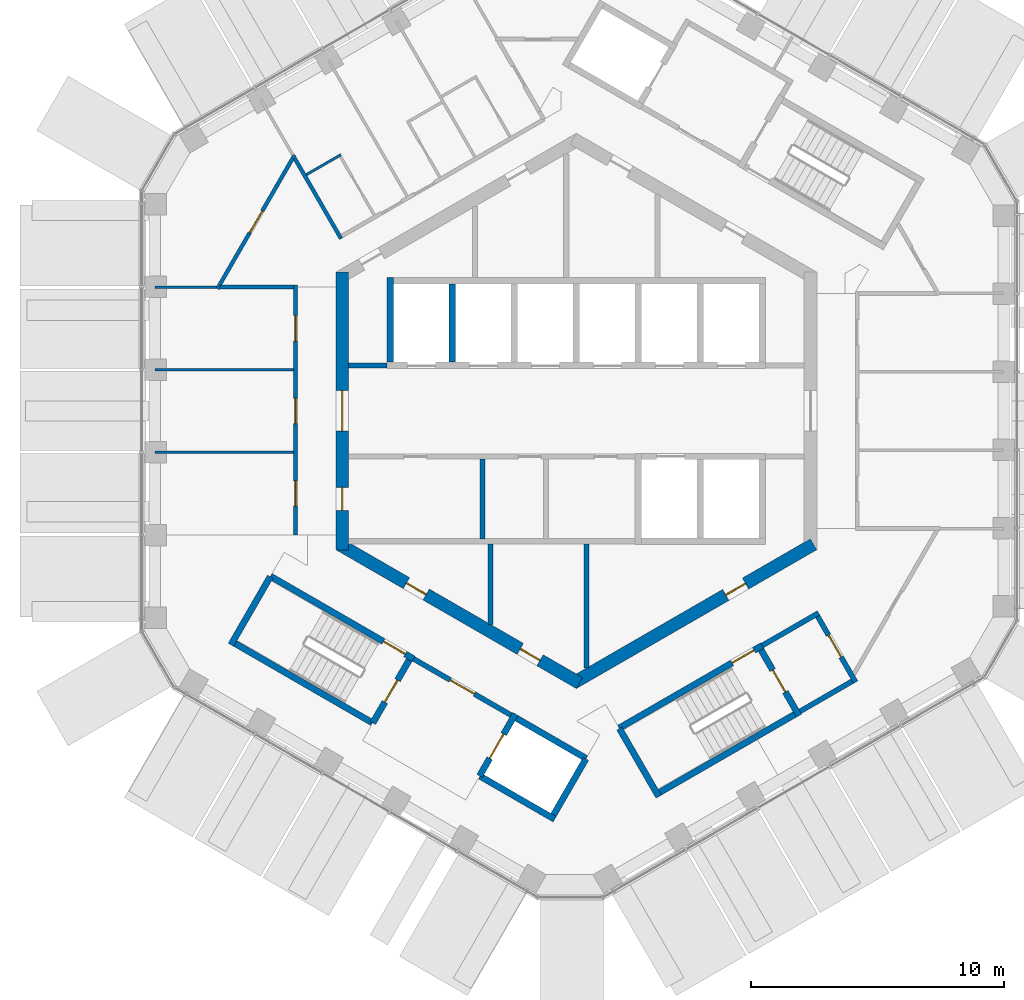
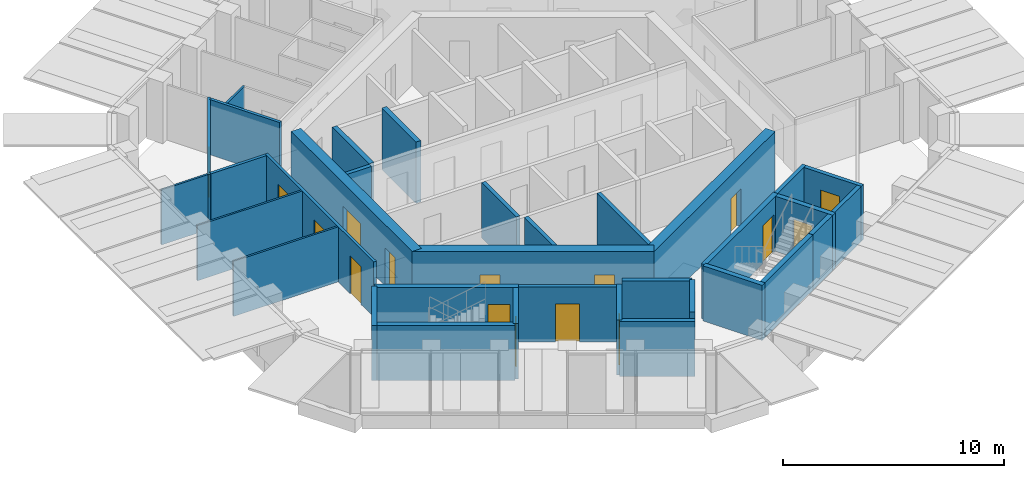
# One storey, part 12 of 17: 34 walls, 16 doors, 16 openings.
"""IFC4 building model written with IfcOpenShell, lengths in metres."""

from ifc_helpers import new_model, si_unit, direction, frame, frame_2d, origin, place, context, subcontext, project, spatial, rectangle, extrude, material, layer, layer_set, type_object, element, fill, save


model = new_model("IFC4")

# Units and contexts
model_context = context("Model", 3, precision=1e-05, world=origin(), true_north=direction((0.0, 1.0)))
body_context = subcontext(model_context, "Body", "Model", "MODEL_VIEW")
ifc_project = project(units=[si_unit("LENGTHUNIT", "METRE"), si_unit("AREAUNIT", "SQUARE_METRE"), si_unit("VOLUMEUNIT", "CUBIC_METRE"), si_unit("PLANEANGLEUNIT", "RADIAN"), si_unit("MASSUNIT", "GRAM", prefix="KILO")], contexts=[model_context])

# Site, building, storey
site_placement = place(None, origin())
site = spatial("IfcSite", under=ifc_project, at=site_placement, CompositionType="ELEMENT")
building_placement = place(site_placement, origin())
building = spatial("IfcBuilding", under=site, at=building_placement, Name="Ayvan Gate Tower", CompositionType="ELEMENT")
storey_placement = place(building_placement, frame((0.0, 0.0, 232.5)))
storey = spatial("IfcBuildingStorey", under=building, at=storey_placement, Name="L62", CompositionType="ELEMENT", Elevation=232.5)

# Wall, openings, doors
ifc_material_1 = material(Name="Concrete C60/75", Category="concrete")
ifc_layer_1 = layer(ifc_material_1, 0.5)
ifc_layer_set_1 = layer_set([ifc_layer_1], Name="Concrete C60/75")
wall_type_1 = type_object("IfcWallType", Name="Core wall 500 C60/75", PredefinedType="SHEAR", material=ifc_layer_set_1)
wall_1_placement = place(storey_placement, frame((-9.25, 5.48486328125, 0.0), z_axis=(0.0, 0.0, 1.0), x_axis=(0.0, -1.0, 0.0)))
wall_1 = element("IfcWall", 1, at=wall_1_placement, inside=storey, type_object=wall_type_1, Name="CORE-L62-3", PredefinedType="SHEAR", context=body_context, shape_type="SweptSolid", body=[
    extrude(rectangle(XDim=10.9697265625, YDim=0.5, at=frame_2d((5.48486328125, 0.0))), origin(), (0.0, 0.0, 1.0), 3.39990234375),
])
opening_1_placement = place(wall_1_placement, frame((8.509765625, 0.0, 0.0)))
opening_1 = element("IfcOpeningElement", 2, at=opening_1_placement, cuts=wall_1, Name="Opening L62-D45", PredefinedType="OPENING", context=body_context, shape_type="SweptSolid", body=[
    extrude(rectangle(XDim=0.89990234375, YDim=2.10009765625, at=frame_2d((0.449951171875, 1.050048828125))), frame((0.0, 0.260009765625, 0.0), z_axis=(0.0, -1.0, 0.0), x_axis=(1.0, 0.0, 0.0)), (0.0, 0.0, 1.0), 0.52001953125),
])
opening_2_placement = place(wall_1_placement, frame((4.684814453125, 0.0, 0.0)))
opening_2 = element("IfcOpeningElement", 3, at=opening_2_placement, cuts=wall_1, Name="Opening L62-D47", PredefinedType="OPENING", context=body_context, shape_type="SweptSolid", body=[
    extrude(rectangle(XDim=1.60009765625, YDim=2.10009765625, at=frame_2d((0.800048828125, 1.050048828125))), frame((0.0, 0.260009765625, 0.0), z_axis=(0.0, -1.0, 0.0), x_axis=(1.0, 0.0, 0.0)), (0.0, 0.0, 1.0), 0.52001953125),
])
ifc_material_2 = material(Name="Timber door leaf", Category="wood")
door_type_1 = type_object("IfcDoorType", Name="DT-1600", OperationType="NOTDEFINED", PredefinedType="DOOR", material=ifc_material_2)
door_1_placement = place(opening_2_placement, origin())
door_1 = element("IfcDoor", 4, at=door_1_placement, inside=storey, type_object=door_type_1, Name="CD-L62-47", OperationType="SINGLE_SWING_LEFT", OverallHeight=2.10009765625, OverallWidth=1.60009765625, PredefinedType="DOOR", context=body_context, shape_type="SweptSolid", body=[
    extrude(rectangle(XDim=1.60009765625, YDim=2.10009765625, at=frame_2d((0.800048828125, 1.050048828125))), frame((0.0, 0.02490234375, 0.0), z_axis=(0.0, -1.0, 0.0), x_axis=(1.0, 0.0, 0.0)), (0.0, 0.0, 1.0), 0.050048828125),
])
fill(opening_2, door_1)
door_type_2 = type_object("IfcDoorType", Name="DT-900", OperationType="NOTDEFINED", PredefinedType="DOOR", material=ifc_material_2)
door_2_placement = place(opening_1_placement, origin())
door_2 = element("IfcDoor", 5, at=door_2_placement, inside=storey, type_object=door_type_2, Name="CD-L62-45", OperationType="SINGLE_SWING_LEFT", OverallHeight=2.10009765625, OverallWidth=0.89990234375, PredefinedType="DOOR", context=body_context, shape_type="SweptSolid", body=[
    extrude(rectangle(XDim=0.89990234375, YDim=2.10009765625, at=frame_2d((0.449951171875, 1.050048828125))), frame((0.0, 0.02490234375, 0.0), z_axis=(0.0, -1.0, 0.0), x_axis=(1.0, 0.0, 0.0)), (0.0, 0.0, 1.0), 0.050048828125),
])
fill(opening_1, door_2)

wall_2_placement = place(storey_placement, frame((-9.375, -5.268310546875, 0.0), z_axis=(0.0, 0.0, 1.0), x_axis=(0.866023993627, -0.500002442456, 0.0)))
wall_2 = element("IfcWall", 6, at=wall_2_placement, inside=storey, type_object=wall_type_1, Name="CORE-L62-4", PredefinedType="SHEAR", context=body_context, shape_type="SweptSolid", body=[
    extrude(rectangle(XDim=10.9697265625, YDim=0.5, at=frame_2d((5.48486328125, 0.0))), origin(), (0.0, 0.0, 1.0), 3.39990234375),
])
opening_3_placement = place(wall_2_placement, frame((3.072509765625, 0.0, 0.0)))
opening_3 = element("IfcOpeningElement", 7, at=opening_3_placement, cuts=wall_2, Name="Opening L62-D42", PredefinedType="OPENING", context=body_context, shape_type="SweptSolid", body=[
    extrude(rectangle(XDim=0.89990234375, YDim=2.10009765625, at=frame_2d((0.449951171875, 1.050048828125))), frame((0.0, 0.260009765625, 0.0), z_axis=(0.0, -1.0, 0.0), x_axis=(1.0, 0.0, 0.0)), (0.0, 0.0, 1.0), 0.52001953125),
])
opening_4_placement = place(wall_2_placement, frame((8.267333984375, 0.0, 0.0)))
opening_4 = element("IfcOpeningElement", 8, at=opening_4_placement, cuts=wall_2, Name="Opening L62-D43", PredefinedType="OPENING", context=body_context, shape_type="SweptSolid", body=[
    extrude(rectangle(XDim=0.89990234375, YDim=2.10009765625, at=frame_2d((0.449951171875, 1.050048828125))), frame((0.0, 0.260009765625, 0.0), z_axis=(0.0, -1.0, 0.0), x_axis=(1.0, 0.0, 0.0)), (0.0, 0.0, 1.0), 0.52001953125),
])
door_3_placement = place(opening_3_placement, origin())
door_3 = element("IfcDoor", 9, at=door_3_placement, inside=storey, type_object=door_type_2, Name="CD-L62-42", OperationType="SINGLE_SWING_RIGHT", OverallHeight=2.10009765625, OverallWidth=0.89990234375, PredefinedType="DOOR", context=body_context, shape_type="SweptSolid", body=[
    extrude(rectangle(XDim=0.89990234375, YDim=2.10009765625, at=frame_2d((0.449951171875, 1.050048828125))), frame((0.0, 0.02490234375, 0.0), z_axis=(0.0, -1.0, 0.0), x_axis=(1.0, 0.0, 0.0)), (0.0, 0.0, 1.0), 0.050048828125),
])
fill(opening_3, door_3)
door_4_placement = place(opening_4_placement, origin())
door_4 = element("IfcDoor", 10, at=door_4_placement, inside=storey, type_object=door_type_2, Name="CD-L62-43", OperationType="SINGLE_SWING_LEFT", OverallHeight=2.10009765625, OverallWidth=0.89990234375, PredefinedType="DOOR", context=body_context, shape_type="SweptSolid", body=[
    extrude(rectangle(XDim=0.89990234375, YDim=2.10009765625, at=frame_2d((0.449951171875, 1.050048828125))), frame((0.0, 0.02490234375, 0.0), z_axis=(0.0, -1.0, 0.0), x_axis=(1.0, 0.0, 0.0)), (0.0, 0.0, 1.0), 0.050048828125),
])
fill(opening_4, door_4)

# Wall, opening, door
wall_3_placement = place(storey_placement, frame((-0.125, -10.753173828125, 0.0), z_axis=(0.0, 0.0, 1.0), x_axis=(0.866023993627, 0.500002442456, 0.0)))
wall_3 = element("IfcWall", 11, at=wall_3_placement, inside=storey, type_object=wall_type_1, Name="CORE-L62-5", PredefinedType="SHEAR", context=body_context, shape_type="SweptSolid", body=[
    extrude(rectangle(XDim=10.9697265625, YDim=0.5, at=frame_2d((5.48486328125, 0.0))), origin(), (0.0, 0.0, 1.0), 3.39990234375),
])
opening_5_placement = place(wall_3_placement, frame((6.96435546875, 0.0, 0.0)))
opening_5 = element("IfcOpeningElement", 12, at=opening_5_placement, cuts=wall_3, Name="Opening L62-D44", PredefinedType="OPENING", context=body_context, shape_type="SweptSolid", body=[
    extrude(rectangle(XDim=0.89990234375, YDim=2.10009765625, at=frame_2d((0.449951171875, 1.050048828125))), frame((0.0, 0.260009765625, 0.0), z_axis=(0.0, -1.0, 0.0), x_axis=(1.0, 0.0, 0.0)), (0.0, 0.0, 1.0), 0.52001953125),
])
door_5_placement = place(opening_5_placement, origin())
door_5 = element("IfcDoor", 13, at=door_5_placement, inside=storey, type_object=door_type_2, Name="CD-L62-44", OperationType="SINGLE_SWING_RIGHT", OverallHeight=2.10009765625, OverallWidth=0.89990234375, PredefinedType="DOOR", context=body_context, shape_type="SweptSolid", body=[
    extrude(rectangle(XDim=0.89990234375, YDim=2.10009765625, at=frame_2d((0.449951171875, 1.050048828125))), frame((0.0, 0.02490234375, 0.0), z_axis=(0.0, -1.0, 0.0), x_axis=(1.0, 0.0, 0.0)), (0.0, 0.0, 1.0), 0.050048828125),
])
fill(opening_5, door_5)

ifc_material_3 = material(Name="Plasterboard on steel stud", Category="steel")
ifc_layer_2 = layer(ifc_material_3, 0.14990234375)
ifc_layer_set_2 = layer_set([ifc_layer_2], Name="Plasterboard on steel stud")
wall_type_2 = type_object("IfcWallType", Name="WT-CORR-150", PredefinedType="PARTITIONING", material=ifc_layer_set_2)
wall_4_placement = place(storey_placement, frame((-14.185302734375, 4.828125, 0.0), z_axis=(0.0, 0.0, 1.0), x_axis=(0.50002117804, 0.866013176292, 0.0)))
wall_4 = element("IfcWall", 14, at=wall_4_placement, inside=storey, type_object=wall_type_2, Name="IW-L62-001", PredefinedType="PARTITIONING", context=body_context, shape_type="SweptSolid", body=[
    extrude(rectangle(XDim=6.107666015625, YDim=0.14990234375, at=frame_2d((3.0537109375, 0.0))), origin(), (0.0, 0.0, 1.0), 3.050048828125),
])
opening_6_placement = place(wall_4_placement, frame((2.553955078125, 0.0, 0.0)))
opening_6 = element("IfcOpeningElement", 15, at=opening_6_placement, cuts=wall_4, Name="Opening L62-D27", PredefinedType="OPENING", context=body_context, shape_type="SweptSolid", body=[
    extrude(rectangle(XDim=1.0, YDim=2.10009765625, at=frame_2d((0.5, 1.050048828125))), frame((0.0, 0.0849609375, 0.0), z_axis=(0.0, -1.0, 0.0), x_axis=(1.0, 0.0, 0.0)), (0.0, 0.0, 1.0), 0.169921875),
])
door_type_3 = type_object("IfcDoorType", Name="DT-1000", OperationType="NOTDEFINED", PredefinedType="DOOR", material=ifc_material_2)
door_6_placement = place(opening_6_placement, origin())
door_6 = element("IfcDoor", 16, at=door_6_placement, inside=storey, type_object=door_type_3, Name="ID-L62-027", OperationType="SINGLE_SWING_LEFT", OverallHeight=2.10009765625, OverallWidth=1.0, PredefinedType="DOOR", context=body_context, shape_type="SweptSolid", body=[
    extrude(rectangle(XDim=1.0, YDim=2.10009765625, at=frame_2d((0.5, 1.050048828125))), frame((0.0, 0.02490234375, 0.0), z_axis=(0.0, -1.0, 0.0), x_axis=(1.0, 0.0, 0.0)), (0.0, 0.0, 1.0), 0.050048828125),
])
fill(opening_6, door_6)

# Wall
wall_5_placement = place(storey_placement, frame((-11.13134765625, 9.987548828125, 0.0), z_axis=(0.0, 0.0, 1.0), x_axis=(0.499973899091, -0.866040472627, 0.0)))
element("IfcWall", 17, at=wall_5_placement, inside=storey, type_object=wall_type_2, Name="IW-L62-005", PredefinedType="PARTITIONING", context=body_context, shape_type="SweptSolid", body=[
    extrude(rectangle(XDim=3.670166015625, YDim=0.14990234375, at=frame_2d((1.8349609375, 0.0))), origin(), (0.0, 0.0, 1.0), 3.050048828125),
])

# Wall, openings, doors
wall_6_placement = place(storey_placement, frame((-11.10009765625, -4.89306640625, 0.0), z_axis=(0.0, 0.0, 1.0), x_axis=(0.0, 1.0, 0.0)))
wall_6 = element("IfcWall", 18, at=wall_6_placement, inside=storey, type_object=wall_type_2, Name="IW-L62-006", PredefinedType="PARTITIONING", context=body_context, shape_type="SweptSolid", body=[
    extrude(rectangle(XDim=9.861083984375, YDim=0.14990234375, at=frame_2d((4.9306640625, 0.0))), origin(), (0.0, 0.0, 1.0), 3.050048828125),
])
opening_7_placement = place(wall_6_placement, frame((7.655029296875, 0.0, 0.0)))
opening_7 = element("IfcOpeningElement", 19, at=opening_7_placement, cuts=wall_6, Name="Opening L62-D28", PredefinedType="OPENING", context=body_context, shape_type="SweptSolid", body=[
    extrude(rectangle(XDim=1.0, YDim=2.10009765625, at=frame_2d((0.5, 1.050048828125))), frame((0.0, 0.0849609375, 0.0), z_axis=(0.0, -1.0, 0.0), x_axis=(1.0, 0.0, 0.0)), (0.0, 0.0, 1.0), 0.169921875),
])
opening_8_placement = place(wall_6_placement, frame((4.39306640625, 0.0, 0.0)))
opening_8 = element("IfcOpeningElement", 20, at=opening_8_placement, cuts=wall_6, Name="Opening L62-D29", PredefinedType="OPENING", context=body_context, shape_type="SweptSolid", body=[
    extrude(rectangle(XDim=1.0, YDim=2.10009765625, at=frame_2d((0.5, 1.050048828125))), frame((0.0, 0.0849609375, 0.0), z_axis=(0.0, -1.0, 0.0), x_axis=(1.0, 0.0, 0.0)), (0.0, 0.0, 1.0), 0.169921875),
])
opening_9_placement = place(wall_6_placement, frame((1.130615234375, 0.0, 0.0)))
opening_9 = element("IfcOpeningElement", 21, at=opening_9_placement, cuts=wall_6, Name="Opening L62-D30", PredefinedType="OPENING", context=body_context, shape_type="SweptSolid", body=[
    extrude(rectangle(XDim=1.0, YDim=2.10009765625, at=frame_2d((0.5, 1.050048828125))), frame((0.0, 0.0849609375, 0.0), z_axis=(0.0, -1.0, 0.0), x_axis=(1.0, 0.0, 0.0)), (0.0, 0.0, 1.0), 0.169921875),
])
door_7_placement = place(opening_7_placement, origin())
door_7 = element("IfcDoor", 22, at=door_7_placement, inside=storey, type_object=door_type_3, Name="ID-L62-028", OperationType="SINGLE_SWING_RIGHT", OverallHeight=2.10009765625, OverallWidth=1.0, PredefinedType="DOOR", context=body_context, shape_type="SweptSolid", body=[
    extrude(rectangle(XDim=1.0, YDim=2.10009765625, at=frame_2d((0.5, 1.050048828125))), frame((0.0, 0.02490234375, 0.0), z_axis=(0.0, -1.0, 0.0), x_axis=(1.0, 0.0, 0.0)), (0.0, 0.0, 1.0), 0.050048828125),
])
fill(opening_7, door_7)
door_8_placement = place(opening_8_placement, origin())
door_8 = element("IfcDoor", 23, at=door_8_placement, inside=storey, type_object=door_type_3, Name="ID-L62-029", OperationType="SINGLE_SWING_LEFT", OverallHeight=2.10009765625, OverallWidth=1.0, PredefinedType="DOOR", context=body_context, shape_type="SweptSolid", body=[
    extrude(rectangle(XDim=1.0, YDim=2.10009765625, at=frame_2d((0.5, 1.050048828125))), frame((0.0, 0.02490234375, 0.0), z_axis=(0.0, -1.0, 0.0), x_axis=(1.0, 0.0, 0.0)), (0.0, 0.0, 1.0), 0.050048828125),
])
fill(opening_8, door_8)
door_9_placement = place(opening_9_placement, origin())
door_9 = element("IfcDoor", 24, at=door_9_placement, inside=storey, type_object=door_type_3, Name="ID-L62-030", OperationType="SINGLE_SWING_RIGHT", OverallHeight=2.10009765625, OverallWidth=1.0, PredefinedType="DOOR", context=body_context, shape_type="SweptSolid", body=[
    extrude(rectangle(XDim=1.0, YDim=2.10009765625, at=frame_2d((0.5, 1.050048828125))), frame((0.0, 0.02490234375, 0.0), z_axis=(0.0, -1.0, 0.0), x_axis=(1.0, 0.0, 0.0)), (0.0, 0.0, 1.0), 0.050048828125),
])
fill(opening_9, door_9)

# Walls
wall_7_placement = place(storey_placement, frame((-11.1748046875, 4.89306640625, 0.0), z_axis=(0.0, 0.0, 1.0), x_axis=(-1.0, 0.0, 0.0)))
element("IfcWall", 25, at=wall_7_placement, inside=storey, type_object=wall_type_2, Name="IW-L62-009", PredefinedType="PARTITIONING", context=body_context, shape_type="SweptSolid", body=[
    extrude(rectangle(XDim=2.89794921875, YDim=0.14990234375, at=frame_2d((1.448974609375, 0.0))), origin(), (0.0, 0.0, 1.0), 3.050048828125),
])
ifc_layer_3 = layer(ifc_material_3, 0.10009765625)
ifc_layer_set_3 = layer_set([ifc_layer_3], Name="Plasterboard on steel stud")
wall_type_3 = type_object("IfcWallType", Name="WT-PART-100", PredefinedType="PARTITIONING", material=ifc_layer_set_3)
wall_8_placement = place(storey_placement, frame((-14.222900390625, 4.89306640625, 0.0), z_axis=(0.0, 0.0, 1.0), x_axis=(-1.0, 0.0, 0.0)))
element("IfcWall", 26, at=wall_8_placement, inside=storey, type_object=wall_type_3, Name="IW-L62-000", PredefinedType="PARTITIONING", context=body_context, shape_type="SweptSolid", body=[
    extrude(rectangle(XDim=2.42724609375, YDim=0.10009765625, at=frame_2d((1.213623046875, 0.0))), origin(), (0.0, 0.0, 1.0), 3.050048828125),
])
for number, where, z_axis, x_axis, name in (
    (27, (-11.175048828125, -1.631103515625, 0.0), (0.0, 0.0, 1.0), (-1.0, 0.0, 0.0), "IW-L62-007"),
    (28, (-11.175048828125, 1.631103515625, 0.0), (0.0, 0.0, 1.0), (-1.0, 0.0, 0.0), "IW-L62-008"),
):
    element("IfcWall", number, at=place(storey_placement, frame(where, z_axis=z_axis, x_axis=x_axis)), inside=storey, type_object=wall_type_3, Name=name, PredefinedType="PARTITIONING", context=body_context, shape_type="SweptSolid", body=[
        extrude(rectangle(XDim=5.47509765625, YDim=0.10009765625, at=frame_2d((2.737548828125, 0.0))), origin(), (0.0, 0.0, 1.0), 3.050048828125),
    ])
wall_9_placement = place(storey_placement, frame((-9.304931640625, 10.123779296875, 0.0), z_axis=(0.0, 0.0, 1.0), x_axis=(-0.866069430361, -0.499923735979, 0.0)))
element("IfcWall", 29, at=wall_9_placement, inside=storey, type_object=wall_type_3, Name="IW-L62-010", PredefinedType="PARTITIONING", context=body_context, shape_type="SweptSolid", body=[
    extrude(rectangle(XDim=1.574951171875, YDim=0.10009765625, at=frame_2d((0.78759765625, 0.0))), origin(), (0.0, 0.0, 1.0), 3.050048828125),
])
ifc_layer_4 = layer(ifc_material_3, 0.199951171875)
ifc_layer_set_4 = layer_set([ifc_layer_4], Name="Plasterboard on steel stud")
wall_type_4 = type_object("IfcWallType", Name="WT-RATED-200", PredefinedType="PARTITIONING", material=ifc_layer_set_4)
wall_10_placement = place(storey_placement, frame((-9.0, 1.800048828125, 0.0), z_axis=(0.0, 0.0, 1.0), x_axis=(1.0, 0.0, 0.0)))
element("IfcWall", 30, at=wall_10_placement, inside=storey, type_object=wall_type_4, Name="IW-L62-012", PredefinedType="PARTITIONING", context=body_context, shape_type="SweptSolid", body=[
    extrude(rectangle(XDim=1.525146484375, YDim=0.199951171875, at=frame_2d((0.7626953125, 0.0))), origin(), (0.0, 0.0, 1.0), 3.050048828125),
])

# Wall, opening, door
wall_11_placement = place(storey_placement, frame((-6.4345703125, -9.794921875, 0.0), z_axis=(0.0, 0.0, 1.0), x_axis=(0.866012907634, -0.500021643343, 0.0)))
wall_11 = element("IfcWall", 31, at=wall_11_placement, inside=storey, type_object=wall_type_4, Name="IW-L62-022", PredefinedType="PARTITIONING", context=body_context, shape_type="SweptSolid", body=[
    extrude(rectangle(XDim=4.449951171875, YDim=0.199951171875, at=frame_2d((2.22509765625, 0.0))), origin(), (0.0, 0.0, 1.0), 3.050048828125),
])
opening_10_placement = place(wall_11_placement, frame((1.675048828125, 0.0, 0.0)))
opening_10 = element("IfcOpeningElement", 32, at=opening_10_placement, cuts=wall_11, Name="Opening L62-D17", PredefinedType="OPENING", context=body_context, shape_type="SweptSolid", body=[
    extrude(rectangle(XDim=1.10009765625, YDim=2.10009765625, at=frame_2d((0.550048828125, 1.050048828125))), frame((0.0, 0.10986328125, 0.0), z_axis=(0.0, -1.0, 0.0), x_axis=(1.0, 0.0, 0.0)), (0.0, 0.0, 1.0), 0.219970703125),
])
door_type_4 = type_object("IfcDoorType", Name="DT-1100", OperationType="NOTDEFINED", PredefinedType="DOOR", material=ifc_material_2)
door_10_placement = place(opening_10_placement, origin())
door_10 = element("IfcDoor", 33, at=door_10_placement, inside=storey, type_object=door_type_4, Name="ID-L62-017", OperationType="SINGLE_SWING_LEFT", OverallHeight=2.10009765625, OverallWidth=1.10009765625, PredefinedType="DOOR", context=body_context, shape_type="SweptSolid", body=[
    extrude(rectangle(XDim=1.10009765625, YDim=2.10009765625, at=frame_2d((0.550048828125, 1.050048828125))), frame((0.0, 0.02490234375, 0.0), z_axis=(0.0, -1.0, 0.0), x_axis=(1.0, 0.0, 0.0)), (0.0, 0.0, 1.0), 0.050048828125),
])
fill(opening_10, door_10)

# Walls
wall_12_placement = place(storey_placement, frame((-3.699951171875, -1.89990234375, 0.0), z_axis=(0.0, 0.0, 1.0), x_axis=(0.0, -1.0, 0.0)))
element("IfcWall", 34, at=wall_12_placement, inside=storey, type_object=wall_type_4, Name="IW-L62-028", PredefinedType="PARTITIONING", context=body_context, shape_type="SweptSolid", body=[
    extrude(rectangle(XDim=3.150146484375, YDim=0.199951171875, at=frame_2d((1.5751953125, 0.0))), origin(), (0.0, 0.0, 1.0), 3.050048828125),
])
wall_13_placement = place(storey_placement, frame((-3.39990234375, -5.25, 0.0), z_axis=(0.0, 0.0, 1.0), x_axis=(0.0, -1.0, 0.0)))
element("IfcWall", 35, at=wall_13_placement, inside=storey, type_object=wall_type_4, Name="IW-L62-030", PredefinedType="PARTITIONING", context=body_context, shape_type="SweptSolid", body=[
    extrude(rectangle(XDim=3.17919921875, YDim=0.199951171875, at=frame_2d((1.589599609375, 0.0))), origin(), (0.0, 0.0, 1.0), 3.050048828125),
])
wall_14_placement = place(storey_placement, frame((0.39990234375, -5.25, 0.0), z_axis=(0.0, 0.0, 1.0), x_axis=(0.0, -1.0, 0.0)))
element("IfcWall", 36, at=wall_14_placement, inside=storey, type_object=wall_type_4, Name="IW-L62-045", PredefinedType="PARTITIONING", context=body_context, shape_type="SweptSolid", body=[
    extrude(rectangle(XDim=4.911376953125, YDim=0.199951171875, at=frame_2d((2.45556640625, 0.0))), origin(), (0.0, 0.0, 1.0), 3.050048828125),
])
wall_15_placement = place(storey_placement, frame((7.343994140625, -9.27001953125, 0.0), z_axis=(0.0, 0.0, 1.0), x_axis=(0.866005588531, 0.500034319456, 0.0)))
element("IfcWall", 37, at=wall_15_placement, inside=storey, type_object=wall_type_4, Name="IW-L62-064", PredefinedType="PARTITIONING", context=body_context, shape_type="SweptSolid", body=[
    extrude(rectangle(XDim=2.574951171875, YDim=0.199951171875, at=frame_2d((1.28759765625, 0.0))), origin(), (0.0, 0.0, 1.0), 3.050048828125),
])

# Wall, opening, door
wall_16_placement = place(storey_placement, frame((9.537353515625, -8.119140625, 0.0), z_axis=(0.0, 0.0, 1.0), x_axis=(0.499990139034, -0.866031096941, 0.0)))
wall_16 = element("IfcWall", 38, at=wall_16_placement, inside=storey, type_object=wall_type_4, Name="IW-L62-073", PredefinedType="PARTITIONING", context=body_context, shape_type="SweptSolid", body=[
    extrude(rectangle(XDim=3.0, YDim=0.199951171875, at=frame_2d((1.5, 0.0))), origin(), (0.0, 0.0, 1.0), 3.050048828125),
])
opening_11_placement = place(wall_16_placement, frame((0.856689453125, 0.0, 0.0)))
opening_11 = element("IfcOpeningElement", 39, at=opening_11_placement, cuts=wall_16, Name="Opening L62-D20", PredefinedType="OPENING", context=body_context, shape_type="SweptSolid", body=[
    extrude(rectangle(XDim=1.0, YDim=2.10009765625, at=frame_2d((0.5, 1.050048828125))), frame((0.0, 0.10986328125, 0.0), z_axis=(0.0, -1.0, 0.0), x_axis=(1.0, 0.0, 0.0)), (0.0, 0.0, 1.0), 0.219970703125),
])
door_11_placement = place(opening_11_placement, origin())
door_11 = element("IfcDoor", 40, at=door_11_placement, inside=storey, type_object=door_type_3, Name="ID-L62-020", OperationType="SINGLE_SWING_RIGHT", OverallHeight=2.10009765625, OverallWidth=1.0, PredefinedType="DOOR", context=body_context, shape_type="SweptSolid", body=[
    extrude(rectangle(XDim=1.0, YDim=2.10009765625, at=frame_2d((0.5, 1.050048828125))), frame((0.0, 0.02490234375, 0.0), z_axis=(0.0, -1.0, 0.0), x_axis=(1.0, 0.0, 0.0)), (0.0, 0.0, 1.0), 0.050048828125),
])
fill(opening_11, door_11)

# Walls
wall_17_placement = place(storey_placement, frame((10.900634765625, -10.6806640625, 0.0), z_axis=(0.0, 0.0, 1.0), x_axis=(-0.866007538022, -0.500030943131, 0.0)))
element("IfcWall", 41, at=wall_17_placement, inside=storey, type_object=wall_type_4, Name="IW-L62-074", PredefinedType="PARTITIONING", context=body_context, shape_type="SweptSolid", body=[
    extrude(rectangle(XDim=2.374755859375, YDim=0.199951171875, at=frame_2d((1.1875, 0.0))), origin(), (0.0, 0.0, 1.0), 3.050048828125),
])
ifc_material_4 = material(Name="Concrete C50/60", Category="concrete")
ifc_layer_5 = layer(ifc_material_4, 0.25)
ifc_layer_set_5 = layer_set([ifc_layer_5], Name="Concrete C50/60")
wall_type_5 = type_object("IfcWallType", Name="WT-RC-250", PredefinedType="SHEAR", material=ifc_layer_set_5)
wall_18_placement = place(storey_placement, frame((-13.64794921875, -9.23876953125, 0.0), z_axis=(0.0, 0.0, 1.0), x_axis=(0.500003782172, 0.866023220135, 0.0)))
element("IfcWall", 42, at=wall_18_placement, inside=storey, type_object=wall_type_5, Name="IW-L62-002", PredefinedType="SHEAR", context=body_context, shape_type="SweptSolid", body=[
    extrude(rectangle(XDim=3.10498046875, YDim=0.25, at=frame_2d((1.552490234375, 0.0))), origin(), (0.0, 0.0, 1.0), 3.050048828125),
])

# Wall, opening, door
wall_19_placement = place(storey_placement, frame((-12.08544921875, -6.532470703125, 0.0), z_axis=(0.0, 0.0, 1.0), x_axis=(0.866031063448, -0.499990197047, 0.0)))
wall_19 = element("IfcWall", 43, at=wall_19_placement, inside=storey, type_object=wall_type_5, Name="IW-L62-004", PredefinedType="SHEAR", context=body_context, shape_type="SweptSolid", body=[
    extrude(rectangle(XDim=6.525146484375, YDim=0.25, at=frame_2d((3.2626953125, 0.0))), origin(), (0.0, 0.0, 1.0), 3.050048828125),
])
opening_12_placement = place(wall_19_placement, frame((5.14990234375, 0.0, 0.0)))
opening_12 = element("IfcOpeningElement", 44, at=opening_12_placement, cuts=wall_19, Name="Opening L62-D15", PredefinedType="OPENING", context=body_context, shape_type="SweptSolid", body=[
    extrude(rectangle(XDim=1.0, YDim=2.10009765625, at=frame_2d((0.5, 1.050048828125))), frame((0.0, 0.135009765625, 0.0), z_axis=(0.0, -1.0, 0.0), x_axis=(1.0, 0.0, 0.0)), (0.0, 0.0, 1.0), 0.27001953125),
])
door_12_placement = place(opening_12_placement, origin())
door_12 = element("IfcDoor", 45, at=door_12_placement, inside=storey, type_object=door_type_3, Name="ID-L62-015", OperationType="SINGLE_SWING_LEFT", OverallHeight=2.10009765625, OverallWidth=1.0, PredefinedType="DOOR", context=body_context, shape_type="SweptSolid", body=[
    extrude(rectangle(XDim=1.0, YDim=2.10009765625, at=frame_2d((0.5, 1.050048828125))), frame((0.0, 0.02490234375, 0.0), z_axis=(0.0, -1.0, 0.0), x_axis=(1.0, 0.0, 0.0)), (0.0, 0.0, 1.0), 0.050048828125),
])
fill(opening_12, door_12)

# Walls
wall_20_placement = place(storey_placement, frame((-8.06005859375, -12.320556640625, 0.0), z_axis=(0.0, 0.0, 1.0), x_axis=(-0.866029591389, 0.499992746786, 0.0)))
element("IfcWall", 46, at=wall_20_placement, inside=storey, type_object=wall_type_5, Name="IW-L62-014", PredefinedType="SHEAR", context=body_context, shape_type="SweptSolid", body=[
    extrude(rectangle(XDim=6.2548828125, YDim=0.25, at=frame_2d((3.12744140625, 0.0))), origin(), (0.0, 0.0, 1.0), 3.050048828125),
])
wall_21_placement = place(storey_placement, frame((-7.35009765625, 1.925048828125, 0.0), z_axis=(0.0, 0.0, 1.0), x_axis=(0.0, 1.0, 0.0)))
element("IfcWall", 47, at=wall_21_placement, inside=storey, type_object=wall_type_5, Name="IW-L62-017", PredefinedType="SHEAR", context=body_context, shape_type="SweptSolid", body=[
    extrude(rectangle(XDim=3.349853515625, YDim=0.25, at=frame_2d((1.6748046875, 0.0))), origin(), (0.0, 0.0, 1.0), 3.050048828125),
])

# Wall, opening, door
wall_22_placement = place(storey_placement, frame((-6.605224609375, -9.8408203125, 0.0), z_axis=(0.0, 0.0, 1.0), x_axis=(-0.500011588718, -0.866018712932, 0.0)))
wall_22 = element("IfcWall", 48, at=wall_22_placement, inside=storey, type_object=wall_type_5, Name="IW-L62-021", PredefinedType="SHEAR", context=body_context, shape_type="SweptSolid", body=[
    extrude(rectangle(XDim=2.875, YDim=0.25, at=frame_2d((1.4375, 0.0))), origin(), (0.0, 0.0, 1.0), 3.050048828125),
])
opening_13_placement = place(wall_22_placement, frame((0.923095703125, 0.0, 0.0)))
opening_13 = element("IfcOpeningElement", 49, at=opening_13_placement, cuts=wall_22, Name="Opening L62-D16", PredefinedType="OPENING", context=body_context, shape_type="SweptSolid", body=[
    extrude(rectangle(XDim=1.0, YDim=2.10009765625, at=frame_2d((0.5, 1.050048828125))), frame((0.0, 0.135009765625, 0.0), z_axis=(0.0, -1.0, 0.0), x_axis=(1.0, 0.0, 0.0)), (0.0, 0.0, 1.0), 0.27001953125),
])
door_13_placement = place(opening_13_placement, origin())
door_13 = element("IfcDoor", 50, at=door_13_placement, inside=storey, type_object=door_type_3, Name="ID-L62-016", OperationType="SINGLE_SWING_RIGHT", OverallHeight=2.10009765625, OverallWidth=1.0, PredefinedType="DOOR", context=body_context, shape_type="SweptSolid", body=[
    extrude(rectangle(XDim=1.0, YDim=2.10009765625, at=frame_2d((0.5, 1.050048828125))), frame((0.0, 0.02490234375, 0.0), z_axis=(0.0, -1.0, 0.0), x_axis=(1.0, 0.0, 0.0)), (0.0, 0.0, 1.0), 0.050048828125),
])
fill(opening_13, door_13)

# Wall
wall_23_placement = place(storey_placement, frame((-4.89990234375, 5.02490234375, 0.0), z_axis=(0.0, 0.0, 1.0), x_axis=(0.0, -1.0, 0.0)))
element("IfcWall", 51, at=wall_23_placement, inside=storey, type_object=wall_type_5, Name="IW-L62-025", PredefinedType="SHEAR", context=body_context, shape_type="SweptSolid", body=[
    extrude(rectangle(XDim=3.099853515625, YDim=0.25, at=frame_2d((1.5498046875, 0.0))), origin(), (0.0, 0.0, 1.0), 3.39990234375),
])

# Wall, opening, door
wall_24_placement = place(storey_placement, frame((-2.409912109375, -11.97412109375, 0.0), z_axis=(0.0, 0.0, 1.0), x_axis=(-0.49998675294, -0.866033051843, 0.0)))
wall_24 = element("IfcWall", 52, at=wall_24_placement, inside=storey, type_object=wall_type_5, Name="IW-L62-034", PredefinedType="SHEAR", context=body_context, shape_type="SweptSolid", body=[
    extrude(rectangle(XDim=2.8251953125, YDim=0.25, at=frame_2d((1.41259765625, 0.0))), origin(), (0.0, 0.0, 1.0), 3.050048828125),
])
opening_14_placement = place(wall_24_placement, frame((0.925537109375, 0.0, 0.0)))
opening_14 = element("IfcOpeningElement", 53, at=opening_14_placement, cuts=wall_24, Name="Opening L62-LD-FF2", PredefinedType="OPENING", context=body_context, shape_type="SweptSolid", body=[
    extrude(rectangle(XDim=1.10009765625, YDim=2.10009765625, at=frame_2d((0.550048828125, 1.050048828125))), frame((0.0, 0.135009765625, 0.0), z_axis=(0.0, -1.0, 0.0), x_axis=(1.0, 0.0, 0.0)), (0.0, 0.0, 1.0), 0.27001953125),
])
ifc_material_5 = material(Name="Stainless steel landing door", Category="steel")
door_type_5 = type_object("IfcDoorType", Name="DT-LANDING-1100", OperationType="SLIDING_TO_LEFT", PredefinedType="DOOR", material=ifc_material_5)
door_14_placement = place(opening_14_placement, origin())
door_14 = element("IfcDoor", 54, at=door_14_placement, inside=storey, type_object=door_type_5, Name="ID-L62-018", OperationType="SLIDING_TO_LEFT", OverallHeight=2.10009765625, OverallWidth=1.10009765625, PredefinedType="DOOR", context=body_context, shape_type="SweptSolid", body=[
    extrude(rectangle(XDim=1.10009765625, YDim=2.10009765625, at=frame_2d((0.550048828125, 1.050048828125))), frame((0.0, 0.02490234375, 0.0), z_axis=(0.0, -1.0, 0.0), x_axis=(1.0, 0.0, 0.0)), (0.0, 0.0, 1.0), 0.050048828125),
])
fill(opening_14, door_14)

# Walls
wall_25_placement = place(storey_placement, frame((-2.3642578125, -12.14501953125, 0.0), z_axis=(0.0, 0.0, 1.0), x_axis=(0.866048579423, -0.499959856469, 0.0)))
element("IfcWall", 55, at=wall_25_placement, inside=storey, type_object=wall_type_5, Name="IW-L62-035", PredefinedType="SHEAR", context=body_context, shape_type="SweptSolid", body=[
    extrude(rectangle(XDim=3.175048828125, YDim=0.25, at=frame_2d((1.58740234375, 0.0))), origin(), (0.0, 0.0, 1.0), 3.39990234375),
])
wall_26_placement = place(storey_placement, frame((-0.8564453125, -16.13330078125, 0.0), z_axis=(0.0, 0.0, 1.0), x_axis=(-0.866032748241, 0.499987278812, 0.0)))
element("IfcWall", 56, at=wall_26_placement, inside=storey, type_object=wall_type_5, Name="IW-L62-040", PredefinedType="SHEAR", context=body_context, shape_type="SweptSolid", body=[
    extrude(rectangle(XDim=3.40478515625, YDim=0.25, at=frame_2d((1.702392578125, 0.0))), origin(), (0.0, 0.0, 1.0), 3.050048828125),
])
wall_27_placement = place(storey_placement, frame((0.37548828125, -13.749755859375, 0.0), z_axis=(0.0, 0.0, 1.0), x_axis=(-0.50003400563, -0.866005769735, 0.0)))
element("IfcWall", 57, at=wall_27_placement, inside=storey, type_object=wall_type_5, Name="IW-L62-044", PredefinedType="SHEAR", context=body_context, shape_type="SweptSolid", body=[
    extrude(rectangle(XDim=2.554931640625, YDim=0.25, at=frame_2d((1.27734375, 0.0))), origin(), (0.0, 0.0, 1.0), 3.39990234375),
])

# Wall, opening, door
wall_28_placement = place(storey_placement, frame((1.693115234375, -12.532470703125, 0.0), z_axis=(0.0, 0.0, 1.0), x_axis=(0.866031063448, 0.499990197047, 0.0)))
wall_28 = element("IfcWall", 58, at=wall_28_placement, inside=storey, type_object=wall_type_5, Name="IW-L62-047", PredefinedType="SHEAR", context=body_context, shape_type="SweptSolid", body=[
    extrude(rectangle(XDim=6.525146484375, YDim=0.25, at=frame_2d((3.2626953125, 0.0))), origin(), (0.0, 0.0, 1.0), 3.050048828125),
])
opening_15_placement = place(wall_28_placement, frame((5.14990234375, 0.0, 0.0)))
opening_15 = element("IfcOpeningElement", 59, at=opening_15_placement, cuts=wall_28, Name="Opening L62-D19", PredefinedType="OPENING", context=body_context, shape_type="SweptSolid", body=[
    extrude(rectangle(XDim=1.0, YDim=2.10009765625, at=frame_2d((0.5, 1.050048828125))), frame((0.0, 0.135009765625, 0.0), z_axis=(0.0, -1.0, 0.0), x_axis=(1.0, 0.0, 0.0)), (0.0, 0.0, 1.0), 0.27001953125),
])
door_15_placement = place(opening_15_placement, origin())
door_15 = element("IfcDoor", 60, at=door_15_placement, inside=storey, type_object=door_type_3, Name="ID-L62-019", OperationType="SINGLE_SWING_LEFT", OverallHeight=2.10009765625, OverallWidth=1.0, PredefinedType="DOOR", context=body_context, shape_type="SweptSolid", body=[
    extrude(rectangle(XDim=1.0, YDim=2.10009765625, at=frame_2d((0.5, 1.050048828125))), frame((0.0, 0.02490234375, 0.0), z_axis=(0.0, -1.0, 0.0), x_axis=(1.0, 0.0, 0.0)), (0.0, 0.0, 1.0), 0.050048828125),
])
fill(opening_15, door_15)

# Walls
wall_29_placement = place(storey_placement, frame((3.255615234375, -15.23876953125, 0.0), z_axis=(0.0, 0.0, 1.0), x_axis=(-0.500003782172, 0.866023220135, 0.0)))
element("IfcWall", 61, at=wall_29_placement, inside=storey, type_object=wall_type_5, Name="IW-L62-052", PredefinedType="SHEAR", context=body_context, shape_type="SweptSolid", body=[
    extrude(rectangle(XDim=3.10498046875, YDim=0.25, at=frame_2d((1.552490234375, 0.0))), origin(), (0.0, 0.0, 1.0), 3.050048828125),
])
wall_30_placement = place(storey_placement, frame((7.07275390625, -12.890625, 0.0), z_axis=(0.0, 0.0, 1.0), x_axis=(-0.866023145199, -0.500003911965, 0.0)))
element("IfcWall", 62, at=wall_30_placement, inside=storey, type_object=wall_type_5, Name="IW-L62-062", PredefinedType="SHEAR", context=body_context, shape_type="SweptSolid", body=[
    extrude(rectangle(XDim=4.35498046875, YDim=0.25, at=frame_2d((2.177490234375, 0.0))), origin(), (0.0, 0.0, 1.0), 3.050048828125),
])

# Wall, opening, door
wall_31_placement = place(storey_placement, frame((7.298095703125, -9.44091796875, 0.0), z_axis=(0.0, 0.0, 1.0), x_axis=(0.50002537861, -0.866010750942, 0.0)))
wall_31 = element("IfcWall", 63, at=wall_31_placement, inside=storey, type_object=wall_type_5, Name="IW-L62-063", PredefinedType="SHEAR", context=body_context, shape_type="SweptSolid", body=[
    extrude(rectangle(XDim=2.999755859375, YDim=0.25, at=frame_2d((1.5, 0.0))), origin(), (0.0, 0.0, 1.0), 3.050048828125),
])
opening_16_placement = place(wall_31_placement, frame((0.922607421875, 0.0, 0.0)))
opening_16 = element("IfcOpeningElement", 64, at=opening_16_placement, cuts=wall_31, Name="Opening L62-D21", PredefinedType="OPENING", context=body_context, shape_type="SweptSolid", body=[
    extrude(rectangle(XDim=1.0, YDim=2.10009765625, at=frame_2d((0.5, 1.050048828125))), frame((0.0, 0.135009765625, 0.0), z_axis=(0.0, -1.0, 0.0), x_axis=(1.0, 0.0, 0.0)), (0.0, 0.0, 1.0), 0.27001953125),
])
door_16_placement = place(opening_16_placement, origin())
door_16 = element("IfcDoor", 65, at=door_16_placement, inside=storey, type_object=door_type_3, Name="ID-L62-021", OperationType="SINGLE_SWING_LEFT", OverallHeight=2.10009765625, OverallWidth=1.0, PredefinedType="DOOR", context=body_context, shape_type="SweptSolid", body=[
    extrude(rectangle(XDim=1.0, YDim=2.10009765625, at=frame_2d((0.5, 1.050048828125))), frame((0.0, 0.02490234375, 0.0), z_axis=(0.0, -1.0, 0.0), x_axis=(1.0, 0.0, 0.0)), (0.0, 0.0, 1.0), 0.050048828125),
])
fill(opening_16, door_16)

# Wall
wall_32_placement = place(storey_placement, frame((8.62744140625, -11.9931640625, 0.0), z_axis=(0.0, 0.0, 1.0), x_axis=(-0.866059624469, -0.499940723351, 0.0)))
element("IfcWall", 66, at=wall_32_placement, inside=storey, type_object=wall_type_5, Name="IW-L62-071", PredefinedType="SHEAR", context=body_context, shape_type="SweptSolid", body=[
    extrude(rectangle(XDim=1.775146484375, YDim=0.25, at=frame_2d((0.8876953125, 0.0))), origin(), (0.0, 0.0, 1.0), 3.050048828125),
])

save(model, "model.ifc")
